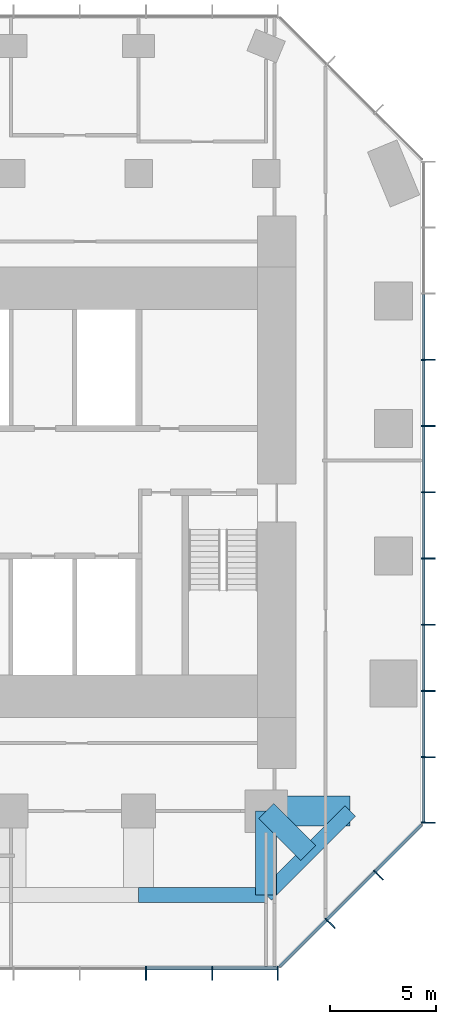
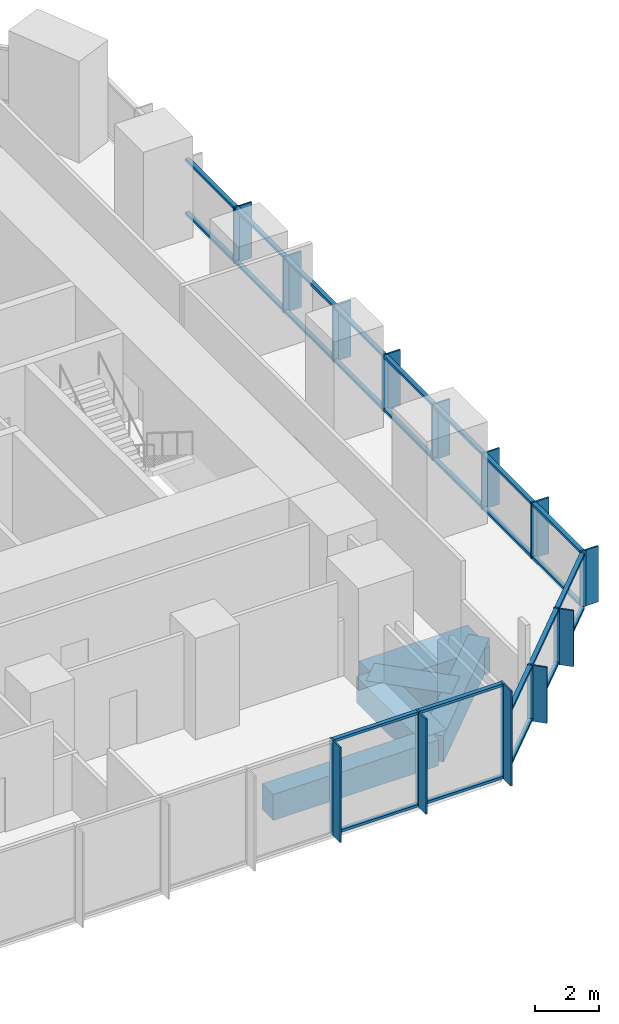
# One storey, part 4 of 11: 52 members, 5 beams, 3 elements without a shape of their own.
"""IFC4 building model written with IfcOpenShell, lengths in metres."""

from ifc_helpers import new_model, si_unit, direction, frame, origin, origin_2d, place, context, subcontext, project, spatial, rectangle, extrude, material, layer, layer_set, material_profile, profile_set, type_object, element, aggregate, save


model = new_model("IFC4")

# Units and contexts
model_context = context("Model", 3, precision=1e-05, world=origin(), true_north=direction((0.0, 1.0)))
body_context = subcontext(model_context, "Body", "Model", "MODEL_VIEW")
ifc_project = project(units=[si_unit("LENGTHUNIT", "METRE"), si_unit("AREAUNIT", "SQUARE_METRE"), si_unit("VOLUMEUNIT", "CUBIC_METRE"), si_unit("PLANEANGLEUNIT", "RADIAN"), si_unit("MASSUNIT", "GRAM", prefix="KILO")], contexts=[model_context])

# Site, building, storey
site_placement = place(None, origin())
site = spatial("IfcSite", under=ifc_project, at=site_placement, CompositionType="ELEMENT")
building_placement = place(site_placement, origin())
building = spatial("IfcBuilding", under=site, at=building_placement, Name="Highveld Stack Headquarters", CompositionType="ELEMENT")
storey_placement = place(building_placement, frame((0.0, 0.0, 235.699951171875)))
storey = spatial("IfcBuildingStorey", under=building, at=storey_placement, Name="L58", CompositionType="ELEMENT", Elevation=235.699951171875)

# Beams
ifc_material_1 = material(Name="Concrete C60/75", Category="concrete")
ifc_material_profile_1 = material_profile(ifc_material_1, rectangle(XDim=1.0, YDim=1.0, at=origin_2d()), Name="RC 1000x1000")
ifc_profile_set_1 = profile_set([ifc_material_profile_1], Name="Concrete C60/75")
beam_type_1 = type_object("IfcBeamType", Name="CANTILEVER RIB RC 1000x1000", PredefinedType="USERDEFINED", material=ifc_profile_set_1)
beam_1_placement = place(storey_placement, frame((18.0, -12.0, -0.75), z_axis=(0.0, -1.0, 0.0), x_axis=(1.0, 0.0, 0.0)))
element("IfcBeam", 1, at=beam_1_placement, inside=storey, type_object=beam_type_1, Name="Cantilever rib 9/C L58", ObjectType="CANTILEVER RIB", PredefinedType="USERDEFINED", context=body_context, shape_type="SweptSolid", body=[
    extrude(rectangle(XDim=1.0, YDim=1.0, at=origin_2d()), origin(), (0.0, 0.0, 1.0), 3.949951171875),
])
beam_2_placement = place(storey_placement, frame((18.0, -12.0, -0.75), z_axis=(0.707106781187, -0.707106781187, 0.0), x_axis=(0.707106781187, 0.707106781187, 0.0)))
element("IfcBeam", 2, at=beam_2_placement, inside=storey, type_object=beam_type_1, Name="Cantilever rib 9/C L58", ObjectType="CANTILEVER RIB", PredefinedType="USERDEFINED", context=body_context, shape_type="SweptSolid", body=[
    extrude(rectangle(XDim=1.0, YDim=1.0, at=origin_2d()), origin(), (0.0, 0.0, 1.0), 2.793212890625),
])
ifc_material_2 = material(Name="Concrete C60/75", Category="concrete")
ifc_material_profile_2 = material_profile(ifc_material_2, rectangle(XDim=1.39990234375, YDim=1.0, at=origin_2d()), Name="RC 1400x1000")
ifc_profile_set_2 = profile_set([ifc_material_profile_2], Name="Concrete C60/75")
beam_type_2 = type_object("IfcBeamType", Name="CANTILEVER RIB RC 1400x1000", PredefinedType="USERDEFINED", material=ifc_profile_set_2)
beam_3_placement = place(storey_placement, frame((18.0, -12.0, -0.75), z_axis=(1.0, 0.0, 0.0), x_axis=(0.0, 1.0, 0.0)))
element("IfcBeam", 3, at=beam_3_placement, inside=storey, type_object=beam_type_2, Name="Cantilever rib 9/C L58", ObjectType="CANTILEVER RIB", PredefinedType="USERDEFINED", context=body_context, shape_type="SweptSolid", body=[
    extrude(rectangle(XDim=1.39990234375, YDim=1.0, at=origin_2d()), origin(), (0.0, 0.0, 1.0), 3.949951171875),
])

# Curtain wall, members
ifc_material_3 = material(Name="Aluminium bronze anodised", Category="aluminium")
ifc_layer_1 = layer(ifc_material_3, 0.199951171875)
ifc_layer_set_1 = layer_set([ifc_layer_1], Name="Aluminium bronze anodised")
curtain_wall_type_1 = type_object("IfcCurtainWallType", Name="CW1 TOWER UNITISED CURTAIN WALL", PredefinedType="NOTDEFINED", material=ifc_layer_set_1)
curtain_wall_1_placement = place(storey_placement, origin())
curtain_wall_1 = element("IfcCurtainWall", 4, at=curtain_wall_1_placement, inside=storey, type_object=curtain_wall_type_1, Name="Curtain wall CW1 L58 S", PredefinedType="NOTDEFINED")
ifc_material_4 = material(Name="Aluminium bronze anodised", Category="aluminium")
ifc_material_profile_3 = material_profile(ifc_material_4, rectangle(XDim=0.449951171875, YDim=0.06005859375, at=origin_2d()), Name="FIN 450x60")
ifc_profile_set_3 = profile_set([ifc_material_profile_3], Name="Aluminium bronze anodised")
member_type_1 = type_object("IfcMemberType", Name="CW1 BRONZE FIN 450x60", PredefinedType="USERDEFINED", material=ifc_profile_set_3)
member_1_placement = place(storey_placement, frame((12.347900390625, -19.72509765625, 0.0), z_axis=(0.0, 0.0, 1.0), x_axis=(0.0, 1.0, 0.0)))
member_1 = element("IfcMember", 5, at=member_1_placement, type_object=member_type_1, Name="CW1 fin L58 9", ObjectType="FIN", PredefinedType="USERDEFINED", context=body_context, shape_type="SweptSolid", body=[
    extrude(rectangle(XDim=0.449951171875, YDim=0.06005859375, at=origin_2d()), origin(), (0.0, 0.0, 1.0), 3.650146484375),
])
member_2_placement = place(storey_placement, frame((15.4638671875, -19.72509765625, 0.0), z_axis=(0.0, 0.0, 1.0), x_axis=(0.0, 1.0, 0.0)))
member_2 = element("IfcMember", 6, at=member_2_placement, type_object=member_type_1, Name="CW1 fin L58 10", ObjectType="FIN", PredefinedType="USERDEFINED", context=body_context, shape_type="SweptSolid", body=[
    extrude(rectangle(XDim=0.449951171875, YDim=0.06005859375, at=origin_2d()), origin(), (0.0, 0.0, 1.0), 3.650146484375),
])
member_3_placement = place(storey_placement, frame((18.54736328125, -19.72509765625, 0.0), z_axis=(0.0, 0.0, 1.0), x_axis=(0.0, 1.0, 0.0)))
member_3 = element("IfcMember", 7, at=member_3_placement, type_object=member_type_1, Name="CW1 fin L58 11", ObjectType="FIN", PredefinedType="USERDEFINED", context=body_context, shape_type="SweptSolid", body=[
    extrude(rectangle(XDim=0.449951171875, YDim=0.06005859375, at=origin_2d()), origin(), (0.0, 0.0, 1.0), 3.650146484375),
])

curtain_wall_2_placement = place(storey_placement, origin())
curtain_wall_2 = element("IfcCurtainWall", 8, at=curtain_wall_2_placement, inside=storey, type_object=curtain_wall_type_1, Name="Curtain wall CW1 L58 E", PredefinedType="NOTDEFINED")
member_4_placement = place(storey_placement, frame((25.72509765625, -12.54736328125, 0.0), z_axis=(0.0, 0.0, 1.0), x_axis=(-1.0, 0.0, 0.0)))
member_4 = element("IfcMember", 9, at=member_4_placement, type_object=member_type_1, Name="CW1 fin L58 1", ObjectType="FIN", PredefinedType="USERDEFINED", context=body_context, shape_type="SweptSolid", body=[
    extrude(rectangle(XDim=0.449951171875, YDim=0.06005859375, at=origin_2d()), origin(), (0.0, 0.0, 1.0), 2.150146484375),
])
member_5_placement = place(storey_placement, frame((25.72509765625, -9.4638671875, 0.0), z_axis=(0.0, 0.0, 1.0), x_axis=(-1.0, 0.0, 0.0)))
member_5 = element("IfcMember", 10, at=member_5_placement, type_object=member_type_1, Name="CW1 fin L58 2", ObjectType="FIN", PredefinedType="USERDEFINED", context=body_context, shape_type="SweptSolid", body=[
    extrude(rectangle(XDim=0.449951171875, YDim=0.06005859375, at=origin_2d()), origin(), (0.0, 0.0, 1.0), 2.150146484375),
])
member_6_placement = place(storey_placement, frame((25.72509765625, -6.347900390625, 0.0), z_axis=(0.0, 0.0, 1.0), x_axis=(-1.0, 0.0, 0.0)))
member_6 = element("IfcMember", 11, at=member_6_placement, type_object=member_type_1, Name="CW1 fin L58 3", ObjectType="FIN", PredefinedType="USERDEFINED", context=body_context, shape_type="SweptSolid", body=[
    extrude(rectangle(XDim=0.449951171875, YDim=0.06005859375, at=origin_2d()), origin(), (0.0, 0.0, 1.0), 2.150146484375),
])
member_7_placement = place(storey_placement, frame((25.72509765625, -3.23193359375, 0.0), z_axis=(0.0, 0.0, 1.0), x_axis=(-1.0, 0.0, 0.0)))
member_7 = element("IfcMember", 12, at=member_7_placement, type_object=member_type_1, Name="CW1 fin L58 4", ObjectType="FIN", PredefinedType="USERDEFINED", context=body_context, shape_type="SweptSolid", body=[
    extrude(rectangle(XDim=0.449951171875, YDim=0.06005859375, at=origin_2d()), origin(), (0.0, 0.0, 1.0), 2.150146484375),
])
member_8_placement = place(storey_placement, frame((25.72509765625, -0.115966796875, 0.0), z_axis=(0.0, 0.0, 1.0), x_axis=(-1.0, 0.0, 0.0)))
member_8 = element("IfcMember", 13, at=member_8_placement, type_object=member_type_1, Name="CW1 fin L58 5", ObjectType="FIN", PredefinedType="USERDEFINED", context=body_context, shape_type="SweptSolid", body=[
    extrude(rectangle(XDim=0.449951171875, YDim=0.06005859375, at=origin_2d()), origin(), (0.0, 0.0, 1.0), 2.150146484375),
])
member_9_placement = place(storey_placement, frame((25.72509765625, 3.0, 0.0), z_axis=(0.0, 0.0, 1.0), x_axis=(-1.0, 0.0, 0.0)))
member_9 = element("IfcMember", 14, at=member_9_placement, type_object=member_type_1, Name="CW1 fin L58 6", ObjectType="FIN", PredefinedType="USERDEFINED", context=body_context, shape_type="SweptSolid", body=[
    extrude(rectangle(XDim=0.449951171875, YDim=0.06005859375, at=origin_2d()), origin(), (0.0, 0.0, 1.0), 2.150146484375),
])
member_10_placement = place(storey_placement, frame((25.72509765625, 6.115966796875, 0.0), z_axis=(0.0, 0.0, 1.0), x_axis=(-1.0, 0.0, 0.0)))
member_10 = element("IfcMember", 15, at=member_10_placement, type_object=member_type_1, Name="CW1 fin L58 7", ObjectType="FIN", PredefinedType="USERDEFINED", context=body_context, shape_type="SweptSolid", body=[
    extrude(rectangle(XDim=0.449951171875, YDim=0.06005859375, at=origin_2d()), origin(), (0.0, 0.0, 1.0), 2.150146484375),
])
member_11_placement = place(storey_placement, frame((25.72509765625, 9.23193359375, 0.0), z_axis=(0.0, 0.0, 1.0), x_axis=(-1.0, 0.0, 0.0)))
member_11 = element("IfcMember", 16, at=member_11_placement, type_object=member_type_1, Name="CW1 fin L58 8", ObjectType="FIN", PredefinedType="USERDEFINED", context=body_context, shape_type="SweptSolid", body=[
    extrude(rectangle(XDim=0.449951171875, YDim=0.06005859375, at=origin_2d()), origin(), (0.0, 0.0, 1.0), 2.150146484375),
])

# Member
ifc_material_5 = material(Name="Aluminium bronze anodised", Category="aluminium")
ifc_material_profile_4 = material_profile(ifc_material_5, rectangle(XDim=0.199951171875, YDim=0.06494140625, at=origin_2d()), Name="CW1 MULLION 65x200")
ifc_profile_set_4 = profile_set([ifc_material_profile_4], Name="Aluminium bronze anodised")
member_type_2 = type_object("IfcMemberType", Name="CW1 MULLION 65x200", PredefinedType="MULLION", material=ifc_profile_set_4)
member_12_placement = place(storey_placement, frame((12.347900390625, -19.39990234375, 0.0), z_axis=(0.0, 0.0, 1.0), x_axis=(0.0, 1.0, 0.0)))
member_12 = element("IfcMember", 17, at=member_12_placement, type_object=member_type_2, Name="CW1 mullion L58 9", PredefinedType="MULLION", context=body_context, shape_type="SweptSolid", body=[
    extrude(rectangle(XDim=0.199951171875, YDim=0.06494140625, at=origin_2d()), origin(), (0.0, 0.0, 1.0), 3.650146484375),
])

member_13_placement = place(storey_placement, frame((15.4638671875, -19.39990234375, 0.0), z_axis=(0.0, 0.0, 1.0), x_axis=(0.0, 1.0, 0.0)))
member_13 = element("IfcMember", 18, at=member_13_placement, type_object=member_type_2, Name="CW1 mullion L58 10", PredefinedType="MULLION", context=body_context, shape_type="SweptSolid", body=[
    extrude(rectangle(XDim=0.199951171875, YDim=0.06494140625, at=origin_2d()), origin(), (0.0, 0.0, 1.0), 3.650146484375),
])

member_14_placement = place(storey_placement, frame((18.54736328125, -19.39990234375, 0.0), z_axis=(0.0, 0.0, 1.0), x_axis=(0.0, 1.0, 0.0)))
member_14 = element("IfcMember", 19, at=member_14_placement, type_object=member_type_2, Name="CW1 mullion L58 11", PredefinedType="MULLION", context=body_context, shape_type="SweptSolid", body=[
    extrude(rectangle(XDim=0.199951171875, YDim=0.06494140625, at=origin_2d()), origin(), (0.0, 0.0, 1.0), 3.650146484375),
])

member_15_placement = place(storey_placement, frame((25.39990234375, -12.54736328125, 0.0), z_axis=(0.0, 0.0, 1.0), x_axis=(-1.0, 0.0, 0.0)))
member_15 = element("IfcMember", 20, at=member_15_placement, type_object=member_type_2, Name="CW1 mullion L58 1", PredefinedType="MULLION", context=body_context, shape_type="SweptSolid", body=[
    extrude(rectangle(XDim=0.199951171875, YDim=0.06494140625, at=origin_2d()), origin(), (0.0, 0.0, 1.0), 2.150146484375),
])

member_16_placement = place(storey_placement, frame((25.39990234375, -9.4638671875, 0.0), z_axis=(0.0, 0.0, 1.0), x_axis=(-1.0, 0.0, 0.0)))
member_16 = element("IfcMember", 21, at=member_16_placement, type_object=member_type_2, Name="CW1 mullion L58 2", PredefinedType="MULLION", context=body_context, shape_type="SweptSolid", body=[
    extrude(rectangle(XDim=0.199951171875, YDim=0.06494140625, at=origin_2d()), origin(), (0.0, 0.0, 1.0), 2.150146484375),
])

member_17_placement = place(storey_placement, frame((25.39990234375, -6.347900390625, 0.0), z_axis=(0.0, 0.0, 1.0), x_axis=(-1.0, 0.0, 0.0)))
member_17 = element("IfcMember", 22, at=member_17_placement, type_object=member_type_2, Name="CW1 mullion L58 3", PredefinedType="MULLION", context=body_context, shape_type="SweptSolid", body=[
    extrude(rectangle(XDim=0.199951171875, YDim=0.06494140625, at=origin_2d()), origin(), (0.0, 0.0, 1.0), 2.150146484375),
])

member_18_placement = place(storey_placement, frame((25.39990234375, -3.23193359375, 0.0), z_axis=(0.0, 0.0, 1.0), x_axis=(-1.0, 0.0, 0.0)))
member_18 = element("IfcMember", 23, at=member_18_placement, type_object=member_type_2, Name="CW1 mullion L58 4", PredefinedType="MULLION", context=body_context, shape_type="SweptSolid", body=[
    extrude(rectangle(XDim=0.199951171875, YDim=0.06494140625, at=origin_2d()), origin(), (0.0, 0.0, 1.0), 2.150146484375),
])

member_19_placement = place(storey_placement, frame((25.39990234375, -0.115966796875, 0.0), z_axis=(0.0, 0.0, 1.0), x_axis=(-1.0, 0.0, 0.0)))
member_19 = element("IfcMember", 24, at=member_19_placement, type_object=member_type_2, Name="CW1 mullion L58 5", PredefinedType="MULLION", context=body_context, shape_type="SweptSolid", body=[
    extrude(rectangle(XDim=0.199951171875, YDim=0.06494140625, at=origin_2d()), origin(), (0.0, 0.0, 1.0), 2.150146484375),
])

member_20_placement = place(storey_placement, frame((25.39990234375, 3.0, 0.0), z_axis=(0.0, 0.0, 1.0), x_axis=(-1.0, 0.0, 0.0)))
member_20 = element("IfcMember", 25, at=member_20_placement, type_object=member_type_2, Name="CW1 mullion L58 6", PredefinedType="MULLION", context=body_context, shape_type="SweptSolid", body=[
    extrude(rectangle(XDim=0.199951171875, YDim=0.06494140625, at=origin_2d()), origin(), (0.0, 0.0, 1.0), 2.150146484375),
])

member_21_placement = place(storey_placement, frame((25.39990234375, 6.115966796875, 0.0), z_axis=(0.0, 0.0, 1.0), x_axis=(-1.0, 0.0, 0.0)))
member_21 = element("IfcMember", 26, at=member_21_placement, type_object=member_type_2, Name="CW1 mullion L58 7", PredefinedType="MULLION", context=body_context, shape_type="SweptSolid", body=[
    extrude(rectangle(XDim=0.199951171875, YDim=0.06494140625, at=origin_2d()), origin(), (0.0, 0.0, 1.0), 2.150146484375),
])

member_22_placement = place(storey_placement, frame((25.39990234375, 9.23193359375, 0.0), z_axis=(0.0, 0.0, 1.0), x_axis=(-1.0, 0.0, 0.0)))
member_22 = element("IfcMember", 27, at=member_22_placement, type_object=member_type_2, Name="CW1 mullion L58 8", PredefinedType="MULLION", context=body_context, shape_type="SweptSolid", body=[
    extrude(rectangle(XDim=0.199951171875, YDim=0.06494140625, at=origin_2d()), origin(), (0.0, 0.0, 1.0), 2.150146484375),
])

ifc_material_6 = material(Name="Aluminium bronze anodised", Category="aluminium")
ifc_material_profile_5 = material_profile(ifc_material_6, rectangle(XDim=0.14990234375, YDim=0.10009765625, at=origin_2d()), Name="CW1 TRANSOM 150x100")
ifc_profile_set_5 = profile_set([ifc_material_profile_5], Name="Aluminium bronze anodised")
member_type_3 = type_object("IfcMemberType", Name="CW1 STACK TRANSOM 150x100", PredefinedType="USERDEFINED", material=ifc_profile_set_5)
member_23_placement = place(storey_placement, frame((12.38037109375, -19.39990234375, 0.050048828125), z_axis=(1.0, 0.0, 0.0), x_axis=(0.0, 1.0, 0.0)))
member_23 = element("IfcMember", 28, at=member_23_placement, type_object=member_type_3, Name="CW1 transom L58 9.1", ObjectType="TRANSOM", PredefinedType="USERDEFINED", context=body_context, shape_type="SweptSolid", body=[
    extrude(rectangle(XDim=0.14990234375, YDim=0.10009765625, at=origin_2d()), origin(), (0.0, 0.0, 1.0), 3.051025390625),
])

member_24_placement = place(storey_placement, frame((12.38037109375, -19.39990234375, 3.60009765625), z_axis=(1.0, 0.0, 0.0), x_axis=(0.0, 1.0, 0.0)))
member_24 = element("IfcMember", 29, at=member_24_placement, type_object=member_type_3, Name="CW1 transom L58 9.2", ObjectType="TRANSOM", PredefinedType="USERDEFINED", context=body_context, shape_type="SweptSolid", body=[
    extrude(rectangle(XDim=0.14990234375, YDim=0.10009765625, at=origin_2d()), origin(), (0.0, 0.0, 1.0), 3.051025390625),
])

member_25_placement = place(storey_placement, frame((15.496337890625, -19.39990234375, 0.050048828125), z_axis=(1.0, 0.0, 0.0), x_axis=(0.0, 1.0, 0.0)))
member_25 = element("IfcMember", 30, at=member_25_placement, type_object=member_type_3, Name="CW1 transom L58 10.1", ObjectType="TRANSOM", PredefinedType="USERDEFINED", context=body_context, shape_type="SweptSolid", body=[
    extrude(rectangle(XDim=0.14990234375, YDim=0.10009765625, at=origin_2d()), origin(), (0.0, 0.0, 1.0), 3.0185546875),
])

member_26_placement = place(storey_placement, frame((15.496337890625, -19.39990234375, 3.60009765625), z_axis=(1.0, 0.0, 0.0), x_axis=(0.0, 1.0, 0.0)))
member_26 = element("IfcMember", 31, at=member_26_placement, type_object=member_type_3, Name="CW1 transom L58 10.2", ObjectType="TRANSOM", PredefinedType="USERDEFINED", context=body_context, shape_type="SweptSolid", body=[
    extrude(rectangle(XDim=0.14990234375, YDim=0.10009765625, at=origin_2d()), origin(), (0.0, 0.0, 1.0), 3.0185546875),
])

aggregate(curtain_wall_1, [member_12, member_1, member_13, member_2, member_14, member_3, member_23, member_24, member_25, member_26])

member_27_placement = place(storey_placement, frame((25.39990234375, -12.514892578125, 0.050048828125), z_axis=(0.0, 1.0, 0.0), x_axis=(-1.0, 0.0, 0.0)))
member_27 = element("IfcMember", 32, at=member_27_placement, type_object=member_type_3, Name="CW1 transom L58 1.1", ObjectType="TRANSOM", PredefinedType="USERDEFINED", context=body_context, shape_type="SweptSolid", body=[
    extrude(rectangle(XDim=0.14990234375, YDim=0.10009765625, at=origin_2d()), origin(), (0.0, 0.0, 1.0), 3.0185546875),
])

member_28_placement = place(storey_placement, frame((25.39990234375, -12.514892578125, 2.10009765625), z_axis=(0.0, 1.0, 0.0), x_axis=(-1.0, 0.0, 0.0)))
member_28 = element("IfcMember", 33, at=member_28_placement, type_object=member_type_3, Name="CW1 transom L58 1.2", ObjectType="TRANSOM", PredefinedType="USERDEFINED", context=body_context, shape_type="SweptSolid", body=[
    extrude(rectangle(XDim=0.14990234375, YDim=0.10009765625, at=origin_2d()), origin(), (0.0, 0.0, 1.0), 3.0185546875),
])

member_29_placement = place(storey_placement, frame((25.39990234375, -9.431396484375, 0.050048828125), z_axis=(0.0, 1.0, 0.0), x_axis=(-1.0, 0.0, 0.0)))
member_29 = element("IfcMember", 34, at=member_29_placement, type_object=member_type_3, Name="CW1 transom L58 2.1", ObjectType="TRANSOM", PredefinedType="USERDEFINED", context=body_context, shape_type="SweptSolid", body=[
    extrude(rectangle(XDim=0.14990234375, YDim=0.10009765625, at=origin_2d()), origin(), (0.0, 0.0, 1.0), 3.051025390625),
])

member_30_placement = place(storey_placement, frame((25.39990234375, -9.431396484375, 2.10009765625), z_axis=(0.0, 1.0, 0.0), x_axis=(-1.0, 0.0, 0.0)))
member_30 = element("IfcMember", 35, at=member_30_placement, type_object=member_type_3, Name="CW1 transom L58 2.2", ObjectType="TRANSOM", PredefinedType="USERDEFINED", context=body_context, shape_type="SweptSolid", body=[
    extrude(rectangle(XDim=0.14990234375, YDim=0.10009765625, at=origin_2d()), origin(), (0.0, 0.0, 1.0), 3.051025390625),
])

member_31_placement = place(storey_placement, frame((25.39990234375, -6.3154296875, 0.050048828125), z_axis=(0.0, 1.0, 0.0), x_axis=(-1.0, 0.0, 0.0)))
member_31 = element("IfcMember", 36, at=member_31_placement, type_object=member_type_3, Name="CW1 transom L58 3.1", ObjectType="TRANSOM", PredefinedType="USERDEFINED", context=body_context, shape_type="SweptSolid", body=[
    extrude(rectangle(XDim=0.14990234375, YDim=0.10009765625, at=origin_2d()), origin(), (0.0, 0.0, 1.0), 3.051025390625),
])

member_32_placement = place(storey_placement, frame((25.39990234375, -6.3154296875, 2.10009765625), z_axis=(0.0, 1.0, 0.0), x_axis=(-1.0, 0.0, 0.0)))
member_32 = element("IfcMember", 37, at=member_32_placement, type_object=member_type_3, Name="CW1 transom L58 3.2", ObjectType="TRANSOM", PredefinedType="USERDEFINED", context=body_context, shape_type="SweptSolid", body=[
    extrude(rectangle(XDim=0.14990234375, YDim=0.10009765625, at=origin_2d()), origin(), (0.0, 0.0, 1.0), 3.051025390625),
])

member_33_placement = place(storey_placement, frame((25.39990234375, -3.199462890625, 0.050048828125), z_axis=(0.0, 1.0, 0.0), x_axis=(-1.0, 0.0, 0.0)))
member_33 = element("IfcMember", 38, at=member_33_placement, type_object=member_type_3, Name="CW1 transom L58 4.1", ObjectType="TRANSOM", PredefinedType="USERDEFINED", context=body_context, shape_type="SweptSolid", body=[
    extrude(rectangle(XDim=0.14990234375, YDim=0.10009765625, at=origin_2d()), origin(), (0.0, 0.0, 1.0), 3.051025390625),
])

member_34_placement = place(storey_placement, frame((25.39990234375, -3.199462890625, 2.10009765625), z_axis=(0.0, 1.0, 0.0), x_axis=(-1.0, 0.0, 0.0)))
member_34 = element("IfcMember", 39, at=member_34_placement, type_object=member_type_3, Name="CW1 transom L58 4.2", ObjectType="TRANSOM", PredefinedType="USERDEFINED", context=body_context, shape_type="SweptSolid", body=[
    extrude(rectangle(XDim=0.14990234375, YDim=0.10009765625, at=origin_2d()), origin(), (0.0, 0.0, 1.0), 3.051025390625),
])

member_35_placement = place(storey_placement, frame((25.39990234375, -0.08349609375, 0.050048828125), z_axis=(0.0, 1.0, 0.0), x_axis=(-1.0, 0.0, 0.0)))
member_35 = element("IfcMember", 40, at=member_35_placement, type_object=member_type_3, Name="CW1 transom L58 5.1", ObjectType="TRANSOM", PredefinedType="USERDEFINED", context=body_context, shape_type="SweptSolid", body=[
    extrude(rectangle(XDim=0.14990234375, YDim=0.10009765625, at=origin_2d()), origin(), (0.0, 0.0, 1.0), 3.051025390625),
])

member_36_placement = place(storey_placement, frame((25.39990234375, -0.08349609375, 2.10009765625), z_axis=(0.0, 1.0, 0.0), x_axis=(-1.0, 0.0, 0.0)))
member_36 = element("IfcMember", 41, at=member_36_placement, type_object=member_type_3, Name="CW1 transom L58 5.2", ObjectType="TRANSOM", PredefinedType="USERDEFINED", context=body_context, shape_type="SweptSolid", body=[
    extrude(rectangle(XDim=0.14990234375, YDim=0.10009765625, at=origin_2d()), origin(), (0.0, 0.0, 1.0), 3.051025390625),
])

member_37_placement = place(storey_placement, frame((25.39990234375, 3.032470703125, 0.050048828125), z_axis=(0.0, 1.0, 0.0), x_axis=(-1.0, 0.0, 0.0)))
member_37 = element("IfcMember", 42, at=member_37_placement, type_object=member_type_3, Name="CW1 transom L58 6.1", ObjectType="TRANSOM", PredefinedType="USERDEFINED", context=body_context, shape_type="SweptSolid", body=[
    extrude(rectangle(XDim=0.14990234375, YDim=0.10009765625, at=origin_2d()), origin(), (0.0, 0.0, 1.0), 3.051025390625),
])

member_38_placement = place(storey_placement, frame((25.39990234375, 3.032470703125, 2.10009765625), z_axis=(0.0, 1.0, 0.0), x_axis=(-1.0, 0.0, 0.0)))
member_38 = element("IfcMember", 43, at=member_38_placement, type_object=member_type_3, Name="CW1 transom L58 6.2", ObjectType="TRANSOM", PredefinedType="USERDEFINED", context=body_context, shape_type="SweptSolid", body=[
    extrude(rectangle(XDim=0.14990234375, YDim=0.10009765625, at=origin_2d()), origin(), (0.0, 0.0, 1.0), 3.051025390625),
])

member_39_placement = place(storey_placement, frame((25.39990234375, 6.1484375, 0.050048828125), z_axis=(0.0, 1.0, 0.0), x_axis=(-1.0, 0.0, 0.0)))
member_39 = element("IfcMember", 44, at=member_39_placement, type_object=member_type_3, Name="CW1 transom L58 7.1", ObjectType="TRANSOM", PredefinedType="USERDEFINED", context=body_context, shape_type="SweptSolid", body=[
    extrude(rectangle(XDim=0.14990234375, YDim=0.10009765625, at=origin_2d()), origin(), (0.0, 0.0, 1.0), 3.051025390625),
])

member_40_placement = place(storey_placement, frame((25.39990234375, 6.1484375, 2.10009765625), z_axis=(0.0, 1.0, 0.0), x_axis=(-1.0, 0.0, 0.0)))
member_40 = element("IfcMember", 45, at=member_40_placement, type_object=member_type_3, Name="CW1 transom L58 7.2", ObjectType="TRANSOM", PredefinedType="USERDEFINED", context=body_context, shape_type="SweptSolid", body=[
    extrude(rectangle(XDim=0.14990234375, YDim=0.10009765625, at=origin_2d()), origin(), (0.0, 0.0, 1.0), 3.051025390625),
])

member_41_placement = place(storey_placement, frame((25.39990234375, 9.264404296875, 0.050048828125), z_axis=(0.0, 1.0, 0.0), x_axis=(-1.0, 0.0, 0.0)))
member_41 = element("IfcMember", 46, at=member_41_placement, type_object=member_type_3, Name="CW1 transom L58 8.1", ObjectType="TRANSOM", PredefinedType="USERDEFINED", context=body_context, shape_type="SweptSolid", body=[
    extrude(rectangle(XDim=0.14990234375, YDim=0.10009765625, at=origin_2d()), origin(), (0.0, 0.0, 1.0), 3.051025390625),
])

member_42_placement = place(storey_placement, frame((25.39990234375, 9.264404296875, 2.10009765625), z_axis=(0.0, 1.0, 0.0), x_axis=(-1.0, 0.0, 0.0)))
member_42 = element("IfcMember", 47, at=member_42_placement, type_object=member_type_3, Name="CW1 transom L58 8.2", ObjectType="TRANSOM", PredefinedType="USERDEFINED", context=body_context, shape_type="SweptSolid", body=[
    extrude(rectangle(XDim=0.14990234375, YDim=0.10009765625, at=origin_2d()), origin(), (0.0, 0.0, 1.0), 3.051025390625),
])

aggregate(curtain_wall_2, [member_15, member_4, member_16, member_5, member_17, member_6, member_18, member_7, member_19, member_8, member_20, member_9, member_21, member_10, member_22, member_11, member_27, member_28, member_29, member_30, member_31, member_32, member_33, member_34, member_35, member_36, member_37, member_38, member_39, member_40, member_41, member_42])

# Curtain wall, members
ifc_material_7 = material(Name="Aluminium bronze anodised", Category="aluminium")
ifc_layer_2 = layer(ifc_material_7, 0.199951171875)
ifc_layer_set_2 = layer_set([ifc_layer_2], Name="Aluminium bronze anodised")
curtain_wall_type_2 = type_object("IfcCurtainWallType", Name="CW2 TOWER CHAMFER UNITISED CURTAIN WALL", PredefinedType="NOTDEFINED", material=ifc_layer_set_2)
curtain_wall_3_placement = place(storey_placement, origin())
curtain_wall_3 = element("IfcCurtainWall", 48, at=curtain_wall_3_placement, inside=storey, type_object=curtain_wall_type_2, Name="Curtain wall CW2 L58 SE", PredefinedType="NOTDEFINED")
ifc_material_8 = material(Name="Aluminium bronze anodised", Category="aluminium")
ifc_material_profile_6 = material_profile(ifc_material_8, rectangle(XDim=0.449951171875, YDim=0.06005859375, at=origin_2d()), Name="FIN 450x60")
ifc_profile_set_6 = profile_set([ifc_material_profile_6], Name="Aluminium bronze anodised")
member_type_4 = type_object("IfcMemberType", Name="CW2 BRONZE FIN 450x60", PredefinedType="USERDEFINED", material=ifc_profile_set_6)
member_43_placement = place(storey_placement, frame((21.0830078125, -17.3564453125, 0.0), z_axis=(0.0, 0.0, 1.0), x_axis=(-0.707106781187, 0.707106781187, 0.0)))
member_43 = element("IfcMember", 49, at=member_43_placement, type_object=member_type_4, Name="CW2 fin L58 1", ObjectType="FIN", PredefinedType="USERDEFINED", context=body_context, shape_type="SweptSolid", body=[
    extrude(rectangle(XDim=0.449951171875, YDim=0.06005859375, at=origin_2d()), origin(), (0.0, 0.0, 1.0), 2.150146484375),
])
member_44_placement = place(storey_placement, frame((23.3564453125, -15.0830078125, 0.0), z_axis=(0.0, 0.0, 1.0), x_axis=(-0.707106781187, 0.707106781187, 0.0)))
member_44 = element("IfcMember", 50, at=member_44_placement, type_object=member_type_4, Name="CW2 fin L58 2", ObjectType="FIN", PredefinedType="USERDEFINED", context=body_context, shape_type="SweptSolid", body=[
    extrude(rectangle(XDim=0.449951171875, YDim=0.06005859375, at=origin_2d()), origin(), (0.0, 0.0, 1.0), 2.150146484375),
])
ifc_material_9 = material(Name="Aluminium bronze anodised", Category="aluminium")
ifc_material_profile_7 = material_profile(ifc_material_9, rectangle(XDim=0.199951171875, YDim=0.06494140625, at=origin_2d()), Name="CW2 MULLION 65x200")
ifc_profile_set_7 = profile_set([ifc_material_profile_7], Name="Aluminium bronze anodised")
member_type_5 = type_object("IfcMemberType", Name="CW2 MULLION 65x200", PredefinedType="MULLION", material=ifc_profile_set_7)
member_45_placement = place(storey_placement, frame((20.853271484375, -17.126708984375, 0.0), z_axis=(0.0, 0.0, 1.0), x_axis=(-0.707106781187, 0.707106781187, 0.0)))
member_45 = element("IfcMember", 51, at=member_45_placement, type_object=member_type_5, Name="CW2 mullion L58 1", PredefinedType="MULLION", context=body_context, shape_type="SweptSolid", body=[
    extrude(rectangle(XDim=0.199951171875, YDim=0.06494140625, at=origin_2d()), origin(), (0.0, 0.0, 1.0), 2.150146484375),
])
member_46_placement = place(storey_placement, frame((23.126708984375, -14.853271484375, 0.0), z_axis=(0.0, 0.0, 1.0), x_axis=(-0.707106781187, 0.707106781187, 0.0)))
member_46 = element("IfcMember", 52, at=member_46_placement, type_object=member_type_5, Name="CW2 mullion L58 2", PredefinedType="MULLION", context=body_context, shape_type="SweptSolid", body=[
    extrude(rectangle(XDim=0.199951171875, YDim=0.06494140625, at=origin_2d()), origin(), (0.0, 0.0, 1.0), 2.150146484375),
])
ifc_material_10 = material(Name="Aluminium bronze anodised", Category="aluminium")
ifc_material_profile_8 = material_profile(ifc_material_10, rectangle(XDim=0.14990234375, YDim=0.10009765625, at=origin_2d()), Name="CW2 TRANSOM 150x100")
ifc_profile_set_8 = profile_set([ifc_material_profile_8], Name="Aluminium bronze anodised")
member_type_6 = type_object("IfcMemberType", Name="CW2 STACK TRANSOM 150x100", PredefinedType="USERDEFINED", material=ifc_profile_set_8)
member_47_placement = place(storey_placement, frame((18.650634765625, -19.329345703125, 0.050048828125), z_axis=(0.707106781187, 0.707106781187, 0.0), x_axis=(-0.707106781187, 0.707106781187, 0.0)))
member_47 = element("IfcMember", 53, at=member_47_placement, type_object=member_type_6, Name="CW2 transom L58 1.1", ObjectType="TRANSOM", PredefinedType="USERDEFINED", context=body_context, shape_type="SweptSolid", body=[
    extrude(rectangle(XDim=0.14990234375, YDim=0.10009765625, at=origin_2d()), origin(), (0.0, 0.0, 1.0), 3.08251953125),
])
member_48_placement = place(storey_placement, frame((18.650634765625, -19.329345703125, 2.10009765625), z_axis=(0.707106781187, 0.707106781187, 0.0), x_axis=(-0.707106781187, 0.707106781187, 0.0)))
member_48 = element("IfcMember", 54, at=member_48_placement, type_object=member_type_6, Name="CW2 transom L58 1.2", ObjectType="TRANSOM", PredefinedType="USERDEFINED", context=body_context, shape_type="SweptSolid", body=[
    extrude(rectangle(XDim=0.14990234375, YDim=0.10009765625, at=origin_2d()), origin(), (0.0, 0.0, 1.0), 3.08251953125),
])
member_49_placement = place(storey_placement, frame((20.876220703125, -17.103759765625, 0.050048828125), z_axis=(0.707106781187, 0.707106781187, 0.0), x_axis=(-0.707106781187, 0.707106781187, 0.0)))
member_49 = element("IfcMember", 55, at=member_49_placement, type_object=member_type_6, Name="CW2 transom L58 2.1", ObjectType="TRANSOM", PredefinedType="USERDEFINED", context=body_context, shape_type="SweptSolid", body=[
    extrude(rectangle(XDim=0.14990234375, YDim=0.10009765625, at=origin_2d()), origin(), (0.0, 0.0, 1.0), 3.150146484375),
])
member_50_placement = place(storey_placement, frame((20.876220703125, -17.103759765625, 2.10009765625), z_axis=(0.707106781187, 0.707106781187, 0.0), x_axis=(-0.707106781187, 0.707106781187, 0.0)))
member_50 = element("IfcMember", 56, at=member_50_placement, type_object=member_type_6, Name="CW2 transom L58 2.2", ObjectType="TRANSOM", PredefinedType="USERDEFINED", context=body_context, shape_type="SweptSolid", body=[
    extrude(rectangle(XDim=0.14990234375, YDim=0.10009765625, at=origin_2d()), origin(), (0.0, 0.0, 1.0), 3.150146484375),
])
member_51_placement = place(storey_placement, frame((23.149658203125, -14.830322265625, 0.050048828125), z_axis=(0.707106781187, 0.707106781187, 0.0), x_axis=(-0.707106781187, 0.707106781187, 0.0)))
member_51 = element("IfcMember", 57, at=member_51_placement, type_object=member_type_6, Name="CW2 transom L58 3.1", ObjectType="TRANSOM", PredefinedType="USERDEFINED", context=body_context, shape_type="SweptSolid", body=[
    extrude(rectangle(XDim=0.14990234375, YDim=0.10009765625, at=origin_2d()), origin(), (0.0, 0.0, 1.0), 3.08251953125),
])
member_52_placement = place(storey_placement, frame((23.149658203125, -14.830322265625, 2.10009765625), z_axis=(0.707106781187, 0.707106781187, 0.0), x_axis=(-0.707106781187, 0.707106781187, 0.0)))
member_52 = element("IfcMember", 58, at=member_52_placement, type_object=member_type_6, Name="CW2 transom L58 3.2", ObjectType="TRANSOM", PredefinedType="USERDEFINED", context=body_context, shape_type="SweptSolid", body=[
    extrude(rectangle(XDim=0.14990234375, YDim=0.10009765625, at=origin_2d()), origin(), (0.0, 0.0, 1.0), 3.08251953125),
])
aggregate(curtain_wall_3, [member_45, member_43, member_46, member_44, member_47, member_48, member_49, member_50, member_51, member_52])

# Beams
ifc_material_11 = material(Name="Concrete C60/75", Category="concrete")
ifc_material_profile_9 = material_profile(ifc_material_11, rectangle(XDim=0.699951171875, YDim=1.0, at=origin_2d()), Name="RC 700x1000")
ifc_profile_set_9 = profile_set([ifc_material_profile_9], Name="Concrete C60/75")
beam_type_3 = type_object("IfcBeamType", Name="RIB TIP BEAM RC 700x1000", PredefinedType="SPANDREL", material=ifc_profile_set_9)
beam_4_placement = place(storey_placement, frame((12.0, -15.949951171875, -0.75), z_axis=(1.0, 0.0, 0.0), x_axis=(0.0, 1.0, 0.0)))
element("IfcBeam", 59, at=beam_4_placement, inside=storey, type_object=beam_type_3, Name="Rib tip beam 8/C to 9/C L58", PredefinedType="SPANDREL", context=body_context, shape_type="SweptSolid", body=[
    extrude(rectangle(XDim=0.699951171875, YDim=1.0, at=origin_2d()), origin(), (0.0, 0.0, 1.0), 6.0),
])
beam_5_placement = place(storey_placement, frame((21.949951171875, -12.0, -0.75), z_axis=(-0.707106781187, -0.707106781187, 0.0), x_axis=(0.707106781187, -0.707106781187, 0.0)))
element("IfcBeam", 60, at=beam_5_placement, inside=storey, type_object=beam_type_3, Name="Rib tip beam 9/C corner L58", PredefinedType="SPANDREL", context=body_context, shape_type="SweptSolid", body=[
    extrude(rectangle(XDim=0.699951171875, YDim=1.0, at=origin_2d()), origin(), (0.0, 0.0, 1.0), 5.586181640625),
])

save(model, "model.ifc")
